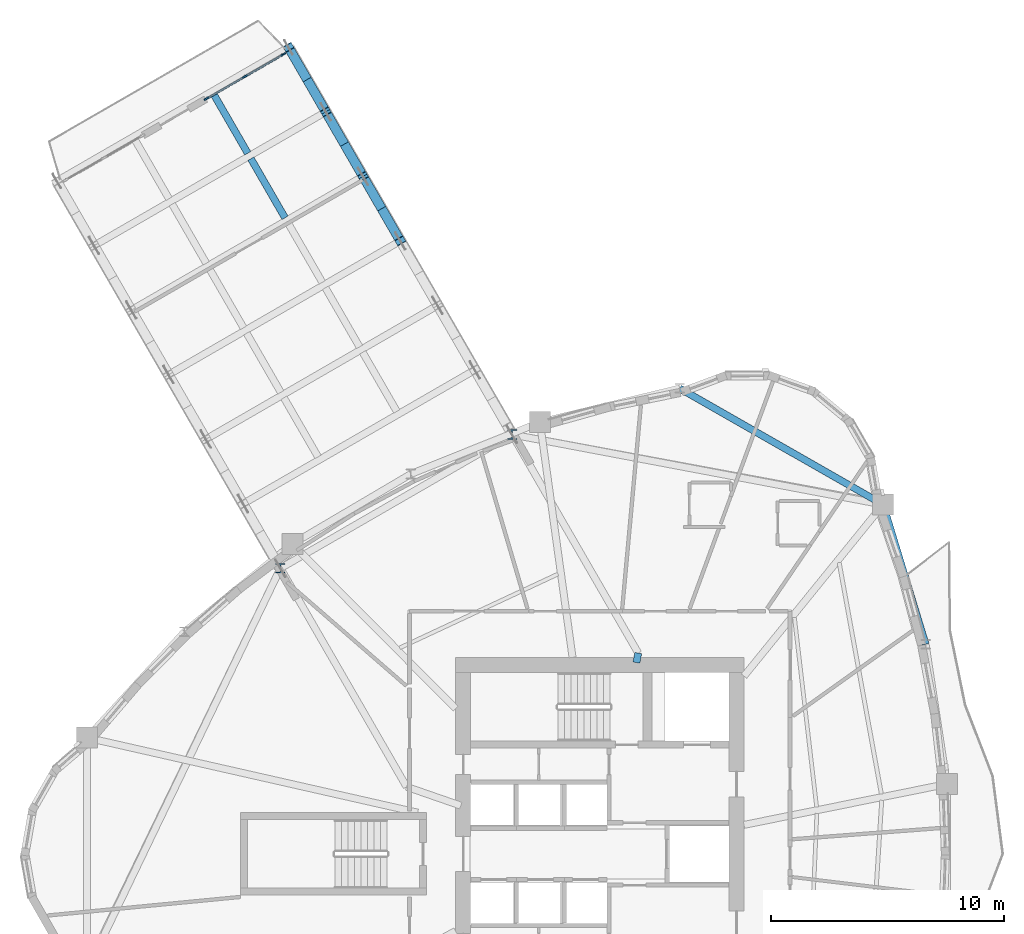
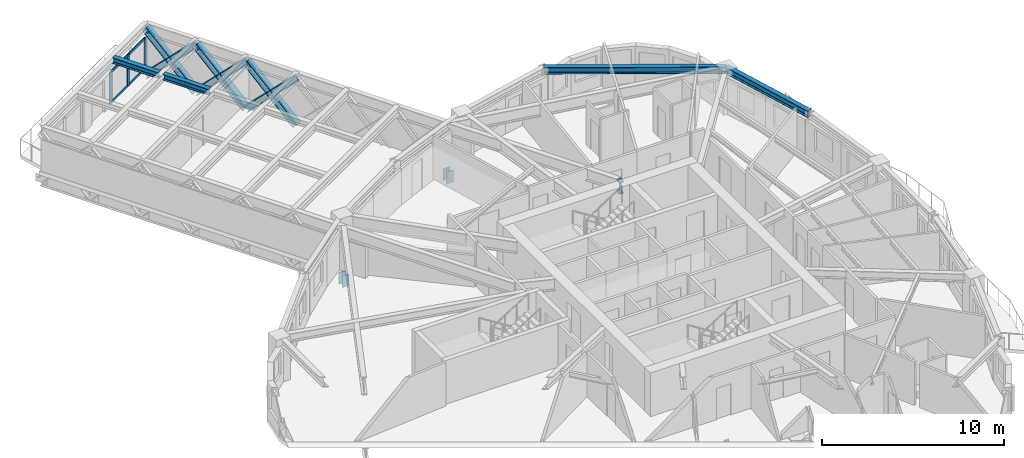
# One storey, part 3 of 16: 15 members, 5 beams, 1 element without a shape of its own.
"""IFC4 building model written with IfcOpenShell, lengths in metres."""

from ifc_helpers import new_model, si_unit, direction, frame, origin, origin_2d, place, context, subcontext, project, spatial, rectangle, i_section, extrude, source, transform, mapped, material, layer, layer_set, material_profile, profile_set, type_object, element, aggregate, save


model = new_model("IFC4")

# Units and contexts
model_context = context("Model", 3, precision=1e-05, world=origin(), true_north=direction((0.0, 1.0)))
body_context = subcontext(model_context, "Body", "Model", "MODEL_VIEW")
ifc_project = project(units=[si_unit("LENGTHUNIT", "METRE"), si_unit("AREAUNIT", "SQUARE_METRE"), si_unit("VOLUMEUNIT", "CUBIC_METRE"), si_unit("PLANEANGLEUNIT", "RADIAN"), si_unit("MASSUNIT", "GRAM", prefix="KILO")], contexts=[model_context])

# Site, building, storey
site_placement = place(None, origin())
site = spatial("IfcSite", under=ifc_project, at=site_placement, CompositionType="ELEMENT")
building_placement = place(site_placement, origin())
building = spatial("IfcBuilding", under=site, at=building_placement, Name="Qafzar Sky-Pleat Residences", CompositionType="ELEMENT")
storey_placement = place(building_placement, frame((0.0, 0.0, 80.0)))
storey = spatial("IfcBuildingStorey", under=building, at=storey_placement, Name="L23", CompositionType="ELEMENT", Elevation=80.0)

# Members
ifc_material_1 = material(Name="Steel S460", Category="steel")
ifc_material_profile_1 = material_profile(ifc_material_1, i_section(OverallWidth=0.408935546875, OverallDepth=0.425048828125, WebThickness=0.030029296875, FlangeThickness=0.048095703125, FilletRadius=0.014892578125, at=origin_2d()), Name="HD 400x421")
ifc_profile_set_1 = profile_set([ifc_material_profile_1], Name="Steel S460")
member_type_1 = type_object("IfcMemberType", Name="MEM-SB-POST", PredefinedType="POST", material=ifc_profile_set_1)
shared_shape_1 = source(origin(), body_context, "Body", "SweptSolid", [
    extrude(i_section(OverallWidth=0.408935546875, OverallDepth=0.425048828125, WebThickness=0.030029296875, FlangeThickness=0.048095703125, FilletRadius=0.014892578125, at=origin_2d()), origin(), (0.0, 0.0, 1.0), 0.780029296875),
])
for number, where, z_axis, x_axis, name in (
    (1, (16.620361328125, 38.280517578125, -1.06494140625), (0.0, 0.0, 1.0), (1.0, 0.0, 0.0), "SB-2 Root Truss Post L0"),
    (2, (26.57958984375, 44.030517578125, -1.06494140625), (0.0, 0.0, 1.0), (1.0, 0.0, 0.0), "SB-2 Root Truss Post R0"),
):
    element("IfcMember", number, at=place(storey_placement, frame(where, z_axis=z_axis, x_axis=x_axis)), inside=storey, type_object=member_type_1, Name=name, PredefinedType="POST", context=body_context, shape_type="MappedRepresentation", body=[
        mapped(shared_shape_1, transform((0.0, 0.0, 0.0), x_axis=(1.0, 0.0, 0.0), y_axis=(0.0, 1.0, 0.0), z_axis=(0.0, 0.0, 1.0), scale=1.0)),
    ])

# Beams
ifc_material_2 = material(Name="Steel S355", Category="steel")
ifc_material_profile_2 = material_profile(ifc_material_2, i_section(OverallWidth=0.300048828125, OverallDepth=0.449951171875, WebThickness=0.013916015625, FlangeThickness=0.02587890625, FilletRadius=0.027099609375, at=origin_2d()), Name="HEB 450")
ifc_profile_set_2 = profile_set([ifc_material_profile_2], Name="Steel S355")
beam_type_1 = type_object("IfcBeamType", Name="BM-SPAN-HEB450", PredefinedType="SPANDREL", material=ifc_profile_set_2)
shared_shape_2 = source(origin(), body_context, "Body", "SweptSolid", [
    extrude(i_section(OverallWidth=0.300048828125, OverallDepth=0.449951171875, WebThickness=0.013916015625, FlangeThickness=0.02587890625, FilletRadius=0.027099609375, at=origin_2d()), origin(), (0.0, 0.0, 1.0), 10.072021484375),
])
beam_1_placement = place(storey_placement, frame((42.532470703125, 41.01904296875, 2.7080078125), z_axis=(-0.868286397172, 0.496063234363, 0.0), x_axis=(-0.496063234363, -0.868286397172, 0.0)))
element("IfcBeam", 3, at=beam_1_placement, inside=storey, type_object=beam_type_1, Name="L23 Perimeter Spandrel Beam 13", PredefinedType="SPANDREL", context=body_context, shape_type="MappedRepresentation", body=[
    mapped(shared_shape_2, transform((0.0, 0.0, 0.0), x_axis=(1.0, 0.0, 0.0), y_axis=(0.0, 1.0, 0.0), z_axis=(0.0, 0.0, 1.0), scale=1.0)),
])
shared_shape_3 = source(origin(), body_context, "Body", "SweptSolid", [
    extrude(i_section(OverallWidth=0.300048828125, OverallDepth=0.449951171875, WebThickness=0.013916015625, FlangeThickness=0.02587890625, FilletRadius=0.027099609375, at=origin_2d()), origin(), (0.0, 0.0, 1.0), 6.279052734375),
])
beam_2_placement = place(storey_placement, frame((44.35888671875, 35.011474609375, 2.7080078125), z_axis=(-0.290873824385, 0.956761421822, 0.0), x_axis=(-0.956761421822, -0.290873824385, 0.0)))
element("IfcBeam", 4, at=beam_2_placement, inside=storey, type_object=beam_type_1, Name="L23 Perimeter Spandrel Beam 12", PredefinedType="SPANDREL", context=body_context, shape_type="MappedRepresentation", body=[
    mapped(shared_shape_3, transform((0.0, 0.0, 0.0), x_axis=(1.0, 0.0, 0.0), y_axis=(0.0, 1.0, 0.0), z_axis=(0.0, 0.0, 1.0), scale=1.0)),
])
ifc_material_profile_3 = material_profile(ifc_material_1, i_section(OverallWidth=0.300048828125, OverallDepth=0.800048828125, WebThickness=0.017578125, FlangeThickness=0.032958984375, FilletRadius=0.030029296875, at=origin_2d()), Name="HEB 800")
ifc_profile_set_3 = profile_set([ifc_material_profile_3], Name="Steel S460")
beam_type_2 = type_object("IfcBeamType", Name="BM-CHORD-HEB800", PredefinedType="BEAM", material=ifc_profile_set_3)
shared_shape_4 = source(origin(), body_context, "Body", "SweptSolid", [
    extrude(i_section(OverallWidth=0.300048828125, OverallDepth=0.800048828125, WebThickness=0.017578125, FlangeThickness=0.032958984375, FilletRadius=0.030029296875, at=origin_2d()), origin(), (0.0, 0.0, 1.0), 0.416259765625),
])
beam_3_placement = place(storey_placement, frame((32.004638671875, 34.634033203125, 2.531005859375), z_axis=(-0.188216678564, -0.982127528333, 0.0), x_axis=(0.982127528333, -0.188216678564, 0.0)))
element("IfcBeam", 5, at=beam_3_placement, inside=storey, type_object=beam_type_2, Name="L23 SB-2 Core Back-Span Tie Girder R", PredefinedType="BEAM", context=body_context, shape_type="MappedRepresentation", body=[
    mapped(shared_shape_4, transform((0.0, 0.0, 0.0), x_axis=(1.0, 0.0, 0.0), y_axis=(0.0, 1.0, 0.0), z_axis=(0.0, 0.0, 1.0), scale=1.0)),
])

# Members
ifc_material_profile_4 = material_profile(ifc_material_1, i_section(OverallWidth=0.40087890625, OverallDepth=0.39892578125, WebThickness=0.02294921875, FlangeThickness=0.035888671875, FilletRadius=0.014892578125, at=origin_2d()), Name="HD 400x314")
ifc_profile_set_4 = profile_set([ifc_material_profile_4], Name="Steel S460")
member_type_2 = type_object("IfcMemberType", Name="MEM-SB-DIAG", PredefinedType="BRACE", material=ifc_profile_set_4)
shared_shape_5 = source(origin(), body_context, "Body", "SweptSolid", [
    extrude(i_section(OverallWidth=0.40087890625, OverallDepth=0.39892578125, WebThickness=0.02294921875, FlangeThickness=0.035888671875, FilletRadius=0.014892578125, at=origin_2d()), origin(), (0.0, 0.0, 1.0), 4.5283203125),
])
for number, where, z_axis, x_axis, name in (
    (6, (21.77392578125, 52.354248046875, -0.6669921875), (-0.353790834917, 0.612745022681, 0.706665113267), (-0.866011737025, -0.500023670775, 0.0), "L23 SB-2 Truss Web Diagonal R4A"),
    (7, (21.77392578125, 52.354248046875, 2.532958984375), (-0.353790834917, 0.612745022681, -0.706665113267), (-0.866011737025, -0.500023670775, 0.0), "L23 SB-2 Truss Web Diagonal R4B"),
):
    element("IfcMember", number, at=place(storey_placement, frame(where, z_axis=z_axis, x_axis=x_axis)), inside=storey, type_object=member_type_2, Name=name, PredefinedType="BRACE", context=body_context, shape_type="MappedRepresentation", body=[
        mapped(shared_shape_5, transform((0.0, 0.0, 0.0), x_axis=(1.0, 0.0, 0.0), y_axis=(0.0, 1.0, 0.0), z_axis=(0.0, 0.0, 1.0), scale=1.0)),
    ])
shared_shape_6 = source(origin(), body_context, "Body", "SweptSolid", [
    extrude(i_section(OverallWidth=0.40087890625, OverallDepth=0.39892578125, WebThickness=0.02294921875, FlangeThickness=0.035888671875, FilletRadius=0.014892578125, at=origin_2d()), origin(), (0.0, 0.0, 1.0), 4.528076171875),
])
for number, where, z_axis, x_axis, name in (
    (8, (20.171875, 55.12890625, -0.6669921875), (-0.353743666917, 0.612756710031, 0.706678592026), (-0.866044732957, -0.499966519396, 0.0), "L23 SB-2 Truss Web Diagonal R5A"),
    (9, (20.171875, 55.12890625, 2.532958984375), (-0.353743666917, 0.612756710031, -0.706678592026), (-0.866044732957, -0.499966519396, 0.0), "L23 SB-2 Truss Web Diagonal R5B"),
    (10, (18.570068359375, 57.903564453125, -0.6669921875), (-0.353802522888, 0.61271134869, 0.70668845893), (-0.865992683363, -0.500056669151, 0.0), "L23 SB-2 Truss Web Diagonal R6A"),
    (11, (18.570068359375, 57.903564453125, 2.532958984375), (-0.353802522888, 0.61271134869, -0.70668845893), (-0.865992683363, -0.500056669151, 0.0), "L23 SB-2 Truss Web Diagonal R6B"),
):
    element("IfcMember", number, at=place(storey_placement, frame(where, z_axis=z_axis, x_axis=x_axis)), inside=storey, type_object=member_type_2, Name=name, PredefinedType="BRACE", context=body_context, shape_type="MappedRepresentation", body=[
        mapped(shared_shape_6, transform((0.0, 0.0, 0.0), x_axis=(1.0, 0.0, 0.0), y_axis=(0.0, 1.0, 0.0), z_axis=(0.0, 0.0, 1.0), scale=1.0)),
    ])

# Beams
ifc_material_profile_5 = material_profile(ifc_material_2, i_section(OverallWidth=0.300048828125, OverallDepth=0.389892578125, WebThickness=0.010986328125, FlangeThickness=0.01904296875, FilletRadius=0.027099609375, at=origin_2d()), Name="HEA 400")
ifc_profile_set_5 = profile_set([ifc_material_profile_5], Name="Steel S355")
beam_type_3 = type_object("IfcBeamType", Name="BM-SBJ-HEA400", PredefinedType="JOIST", material=ifc_profile_set_5)
shared_shape_7 = source(origin(), body_context, "Body", "SweptSolid", [
    extrude(i_section(OverallWidth=0.300048828125, OverallDepth=0.389892578125, WebThickness=0.010986328125, FlangeThickness=0.01904296875, FilletRadius=0.027099609375, at=origin_2d()), origin(), (0.0, 0.0, 1.0), 2.933837890625),
])
for number, where, z_axis, x_axis, name in (
    (12, (16.81787109375, 53.348388671875, 2.738037109375), (-0.499969776107, 0.866042852854, 0.0), (-0.866042852854, -0.499969776107, 0.0), "L23 SB-2 Sky-Bar Secondary Deck Joist 5.1"),
    (13, (15.216064453125, 56.122802734375, 2.738037109375), (-0.500032187732, 0.866006819391, 0.0), (-0.866006819391, -0.500032187732, 0.0), "L23 SB-2 Sky-Bar Secondary Deck Joist 6.1"),
):
    element("IfcBeam", number, at=place(storey_placement, frame(where, z_axis=z_axis, x_axis=x_axis)), inside=storey, type_object=beam_type_3, Name=name, PredefinedType="JOIST", context=body_context, shape_type="MappedRepresentation", body=[
        mapped(shared_shape_7, transform((0.0, 0.0, 0.0), x_axis=(1.0, 0.0, 0.0), y_axis=(0.0, 1.0, 0.0), z_axis=(0.0, 0.0, 1.0), scale=1.0)),
    ])

# Curtain wall, members
ifc_material_3 = material(Name="Anodised bronze aluminium framing", Category="aluminium")
ifc_layer = layer(ifc_material_3, 0.219970703125)
ifc_layer_set = layer_set([ifc_layer], Name="Anodised bronze aluminium framing")
curtain_wall_type = type_object("IfcCurtainWallType", Name="CW-SYS-03", PredefinedType="NOTDEFINED", material=ifc_layer_set)
curtain_wall_placement = place(storey_placement, origin())
curtain_wall = element("IfcCurtainWall", 14, at=curtain_wall_placement, inside=storey, type_object=curtain_wall_type, Name="L23 CW-03 Curtain Wall CW-L23-SB-2-PROW-R", PredefinedType="NOTDEFINED")
ifc_material_4 = material(Name="Anodised bronze aluminium", Category="aluminium")
ifc_material_profile_6 = material_profile(ifc_material_4, rectangle(XDim=0.070068359375, YDim=0.219970703125, at=origin_2d()), Name="ALU MULLION 70x220")
ifc_profile_set_6 = profile_set([ifc_material_profile_6], Name="Anodised bronze aluminium")
member_type_3 = type_object("IfcMemberType", Name="CWM-03", PredefinedType="MULLION", material=ifc_profile_set_6)
shared_shape_8 = source(origin(), body_context, "Body", "SweptSolid", [
    extrude(rectangle(XDim=0.070068359375, YDim=0.219970703125, at=origin_2d()), origin(), (0.0, 0.0, 1.0), 2.114990234375),
])
member_1_placement = place(storey_placement, frame((13.44482421875, 58.470703125, 0.0), z_axis=(0.0, 0.0, 1.0), x_axis=(-0.49999760802, 0.86602678479, 0.0)))
member_1 = element("IfcMember", 15, at=member_1_placement, type_object=member_type_3, Name="CW-03 mullion 1", PredefinedType="MULLION", context=body_context, shape_type="MappedRepresentation", body=[
    mapped(shared_shape_8, transform((0.0, 0.0, 0.0), x_axis=(1.0, 0.0, 0.0), y_axis=(0.0, 1.0, 0.0), z_axis=(0.0, 0.0, 1.0), scale=1.0)),
])
member_2_placement = place(storey_placement, frame((15.094482421875, 59.423095703125, 0.0), z_axis=(0.0, 0.0, 1.0), x_axis=(-0.49999760802, 0.86602678479, 0.0)))
member_2 = element("IfcMember", 16, at=member_2_placement, type_object=member_type_3, Name="CW-03 mullion 2", PredefinedType="MULLION", context=body_context, shape_type="MappedRepresentation", body=[
    mapped(shared_shape_8, transform((0.0, 0.0, 0.0), x_axis=(1.0, 0.0, 0.0), y_axis=(0.0, 1.0, 0.0), z_axis=(0.0, 0.0, 1.0), scale=1.0)),
])
member_3_placement = place(storey_placement, frame((16.744384765625, 60.37548828125, 0.0), z_axis=(0.0, 0.0, 1.0), x_axis=(-0.49999760802, 0.86602678479, 0.0)))
member_3 = element("IfcMember", 17, at=member_3_placement, type_object=member_type_3, Name="CW-03 mullion 3", PredefinedType="MULLION", context=body_context, shape_type="MappedRepresentation", body=[
    mapped(shared_shape_8, transform((0.0, 0.0, 0.0), x_axis=(1.0, 0.0, 0.0), y_axis=(0.0, 1.0, 0.0), z_axis=(0.0, 0.0, 1.0), scale=1.0)),
])
ifc_material_profile_7 = material_profile(ifc_material_4, rectangle(XDim=0.070068359375, YDim=0.1650390625, at=origin_2d()), Name="ALU TRANSOM 70x165")
ifc_profile_set_7 = profile_set([ifc_material_profile_7], Name="Anodised bronze aluminium")
member_type_4 = type_object("IfcMemberType", Name="CWT-03", PredefinedType="USERDEFINED", material=ifc_profile_set_7)
shared_shape_9 = source(origin(), body_context, "Body", "SweptSolid", [
    extrude(rectangle(XDim=0.070068359375, YDim=0.1650390625, at=origin_2d()), origin(), (0.0, 0.0, 1.0), 1.8349609375),
])
member_4_placement = place(storey_placement, frame((13.47509765625, 58.488037109375, 0.034912109375), z_axis=(0.866023842607, 0.500002704028, 0.0), x_axis=(-0.500002704028, 0.866023842607, 0.0)))
member_4 = element("IfcMember", 18, at=member_4_placement, type_object=member_type_4, Name="CW-03 transom 1.1", ObjectType="TRANSOM", PredefinedType="USERDEFINED", context=body_context, shape_type="MappedRepresentation", body=[
    mapped(shared_shape_9, transform((0.0, 0.0, 0.0), x_axis=(1.0, 0.0, 0.0), y_axis=(0.0, 1.0, 0.0), z_axis=(0.0, 0.0, 1.0), scale=1.0)),
])
member_5_placement = place(storey_placement, frame((13.47509765625, 58.488037109375, 2.080078125), z_axis=(0.866023842607, 0.500002704028, 0.0), x_axis=(-0.500002704028, 0.866023842607, 0.0)))
member_5 = element("IfcMember", 19, at=member_5_placement, type_object=member_type_4, Name="CW-03 transom 1.2", ObjectType="TRANSOM", PredefinedType="USERDEFINED", context=body_context, shape_type="MappedRepresentation", body=[
    mapped(shared_shape_9, transform((0.0, 0.0, 0.0), x_axis=(1.0, 0.0, 0.0), y_axis=(0.0, 1.0, 0.0), z_axis=(0.0, 0.0, 1.0), scale=1.0)),
])
member_6_placement = place(storey_placement, frame((15.125, 59.440673828125, 0.034912109375), z_axis=(0.866023842607, 0.500002704028, 0.0), x_axis=(-0.500002704028, 0.866023842607, 0.0)))
member_6 = element("IfcMember", 20, at=member_6_placement, type_object=member_type_4, Name="CW-03 transom 2.1", ObjectType="TRANSOM", PredefinedType="USERDEFINED", context=body_context, shape_type="MappedRepresentation", body=[
    mapped(shared_shape_9, transform((0.0, 0.0, 0.0), x_axis=(1.0, 0.0, 0.0), y_axis=(0.0, 1.0, 0.0), z_axis=(0.0, 0.0, 1.0), scale=1.0)),
])
member_7_placement = place(storey_placement, frame((15.125, 59.440673828125, 2.080078125), z_axis=(0.866023842607, 0.500002704028, 0.0), x_axis=(-0.500002704028, 0.866023842607, 0.0)))
member_7 = element("IfcMember", 21, at=member_7_placement, type_object=member_type_4, Name="CW-03 transom 2.2", ObjectType="TRANSOM", PredefinedType="USERDEFINED", context=body_context, shape_type="MappedRepresentation", body=[
    mapped(shared_shape_9, transform((0.0, 0.0, 0.0), x_axis=(1.0, 0.0, 0.0), y_axis=(0.0, 1.0, 0.0), z_axis=(0.0, 0.0, 1.0), scale=1.0)),
])
aggregate(curtain_wall, [member_1, member_2, member_3, member_4, member_5, member_6, member_7])

save(model, "model.ifc")
